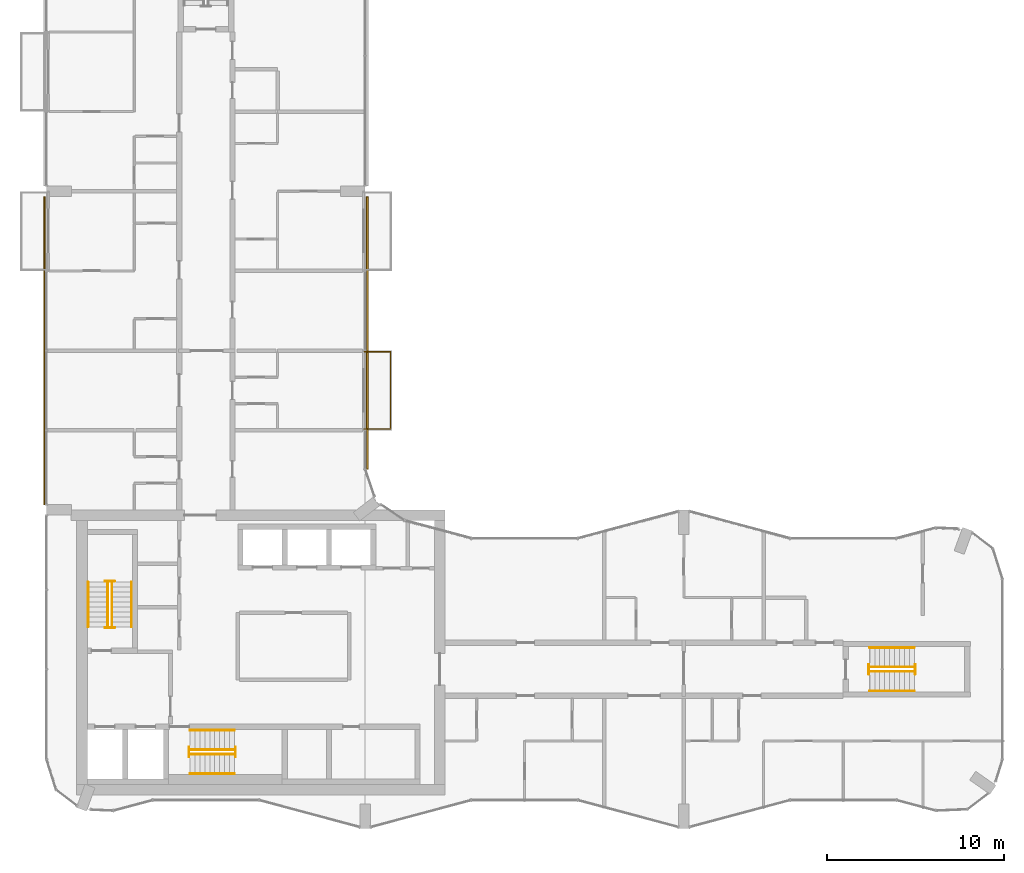
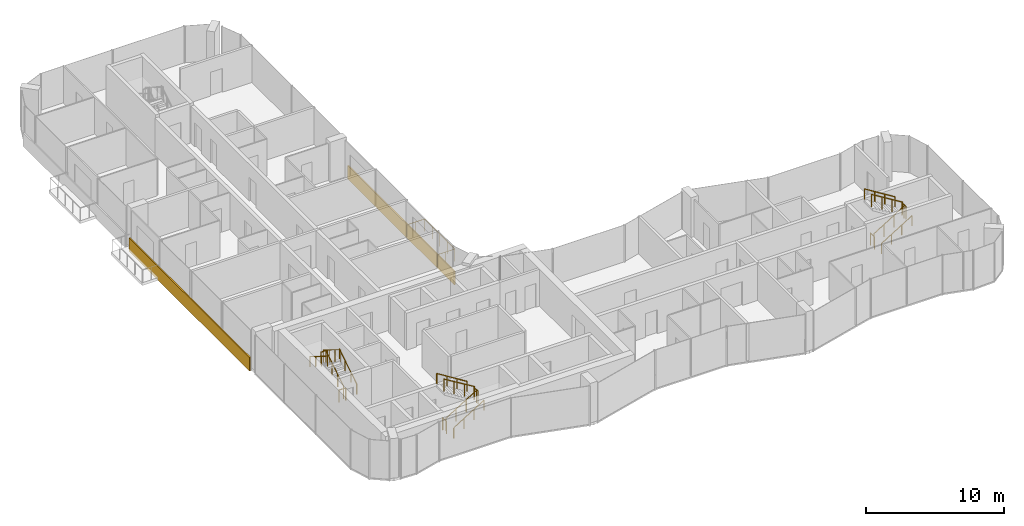
# One storey, part 14 of 15: 19 railings, 2 coverings.
"""IFC4 building model written with IfcOpenShell, lengths in metres."""

from ifc_helpers import new_model, si_unit, direction, frame, origin, origin_2d, place, context, subcontext, project, spatial, rectangle, circle, extrude, material, layer, layer_set, type_object, element, save


model = new_model("IFC4")

# Units and contexts
model_context = context("Model", 3, precision=1e-05, world=origin(), true_north=direction((0.0, 1.0)))
body_context = subcontext(model_context, "Body", "Model", "MODEL_VIEW")
ifc_project = project(units=[si_unit("LENGTHUNIT", "METRE"), si_unit("AREAUNIT", "SQUARE_METRE"), si_unit("VOLUMEUNIT", "CUBIC_METRE"), si_unit("PLANEANGLEUNIT", "RADIAN"), si_unit("MASSUNIT", "GRAM", prefix="KILO")], contexts=[model_context])

# Site, building, storey
site_placement = place(None, origin())
site = spatial("IfcSite", under=ifc_project, at=site_placement, CompositionType="ELEMENT")
building_placement = place(site_placement, origin())
building = spatial("IfcBuilding", under=site, at=building_placement, Name="Plateau Cross Towers", CompositionType="ELEMENT")
storey_placement = place(building_placement, frame((0.0, 0.0, 156.89990234375)))
storey = spatial("IfcBuildingStorey", under=building, at=storey_placement, Name="L40", CompositionType="ELEMENT", Elevation=156.89990234375)

# Railings
ifc_material_1 = material(Name="Stainless steel and toughened glass", Category="steel")
railing_type_1 = type_object("IfcRailingType", Name="Glass balustrade guard 1100", PredefinedType="GUARDRAIL", material=ifc_material_1)
railing_1_placement = place(storey_placement, frame((17.949951171875, 26.929931640625, 0.0)))
element("IfcRailing", 1, at=railing_1_placement, inside=storey, type_object=railing_type_1, Name="Guard guard1", PredefinedType="GUARDRAIL", context=body_context, shape_type="SweptSolid", body=[
    extrude(circle(Radius=0.02392578125, at=origin_2d()), frame((0.0, 0.0, 1.076171875), z_axis=(1.0, 0.0, 0.0), x_axis=(0.0, 1.0, 0.0)), (0.0, 0.0, 1.0), 1.47998046875),
    extrude(circle(Radius=0.02392578125, at=origin_2d()), frame((1.47998046875, 0.0, 1.076171875), z_axis=(0.0, -1.0, 0.0), x_axis=(1.0, 0.0, 0.0)), (0.0, 0.0, 1.0), 4.35986328125),
    extrude(circle(Radius=0.02392578125, at=origin_2d()), frame((1.47998046875, -4.35986328125, 1.076171875), z_axis=(-1.0, 0.0, 0.0), x_axis=(0.0, -1.0, 0.0)), (0.0, 0.0, 1.0), 1.47998046875),
    extrude(circle(Radius=0.02099609375, at=origin_2d()), origin(), (0.0, 0.0, 1.0), 1.052001953125),
    extrude(circle(Radius=0.02099609375, at=origin_2d()), frame((0.739990234375, 0.0, 0.0)), (0.0, 0.0, 1.0), 1.052001953125),
    extrude(circle(Radius=0.02099609375, at=origin_2d()), frame((1.47998046875, 0.0, 0.0)), (0.0, 0.0, 1.0), 1.052001953125),
    extrude(circle(Radius=0.02099609375, at=origin_2d()), frame((1.47998046875, -1.08984375, 0.0)), (0.0, 0.0, 1.0), 1.052001953125),
    extrude(circle(Radius=0.02099609375, at=origin_2d()), frame((1.47998046875, -2.179931640625, 0.0)), (0.0, 0.0, 1.0), 1.052001953125),
    extrude(circle(Radius=0.02099609375, at=origin_2d()), frame((1.47998046875, -3.27001953125, 0.0)), (0.0, 0.0, 1.0), 1.052001953125),
    extrude(circle(Radius=0.02099609375, at=origin_2d()), frame((1.47998046875, -4.35986328125, 0.0)), (0.0, 0.0, 1.0), 1.052001953125),
    extrude(circle(Radius=0.02099609375, at=origin_2d()), frame((0.739990234375, -4.35986328125, 0.0)), (0.0, 0.0, 1.0), 1.052001953125),
    extrude(circle(Radius=0.02099609375, at=origin_2d()), frame((0.0, -4.35986328125, 0.0)), (0.0, 0.0, 1.0), 1.052001953125),
])
railing_type_2 = type_object("IfcRailingType", Name="RL-GUARD-1100", PredefinedType="GUARDRAIL", material=ifc_material_1)
railing_2_placement = place(storey_placement, frame((3.699951171875, 11.39990234375, 0.175048828125)))
element("IfcRailing", 2, at=railing_2_placement, inside=storey, type_object=railing_type_2, Name="L40 ST-1 stair guard 1", PredefinedType="GUARDRAIL", context=body_context, shape_type="SweptSolid", body=[
    extrude(circle(Radius=0.02392578125, at=origin_2d()), frame((0.0, 0.0, 1.076171875), z_axis=(0.0, 0.848007534815, 0.529984170421), x_axis=(-1.0, 0.0, 0.0)), (0.0, 0.0, 1.0), 2.9716796875),
    extrude(circle(Radius=0.02099609375, at=origin_2d()), origin(), (0.0, 0.0, 1.0), 1.052001953125),
    extrude(circle(Radius=0.02099609375, at=origin_2d()), frame((0.0, 0.840087890625, 0.52490234375)), (0.0, 0.0, 1.0), 1.052001953125),
    extrude(circle(Radius=0.02099609375, at=origin_2d()), frame((0.0, 1.679931640625, 1.050048828125)), (0.0, 0.0, 1.0), 1.052001953125),
    extrude(circle(Radius=0.02099609375, at=origin_2d()), frame((0.0, 2.52001953125, 1.574951171875)), (0.0, 0.0, 1.0), 1.052001953125),
])
railing_3_placement = place(storey_placement, frame((3.85009765625, 13.969970703125, 1.75)))
element("IfcRailing", 3, at=railing_3_placement, inside=storey, type_object=railing_type_2, Name="L40 ST-1 stair guard 2", PredefinedType="GUARDRAIL", context=body_context, shape_type="SweptSolid", body=[
    extrude(circle(Radius=0.02392578125, at=origin_2d()), frame((0.0, 0.0, 1.076171875), z_axis=(-1.0, 0.0, 0.0), x_axis=(0.0, -1.0, 0.0)), (0.0, 0.0, 1.0), 0.550048828125),
    extrude(circle(Radius=0.02099609375, at=origin_2d()), origin(), (0.0, 0.0, 1.0), 1.052001953125),
    extrude(circle(Radius=0.02099609375, at=origin_2d()), frame((-0.550048828125, 0.0, 0.0)), (0.0, 0.0, 1.0), 1.052001953125),
])
railing_4_placement = place(storey_placement, frame((3.449951171875, 13.919921875, 1.925048828125)))
element("IfcRailing", 4, at=railing_4_placement, inside=storey, type_object=railing_type_2, Name="L40 ST-1 stair guard 3", PredefinedType="GUARDRAIL", context=body_context, shape_type="SweptSolid", body=[
    extrude(circle(Radius=0.02392578125, at=origin_2d()), frame((0.0, 0.0, 1.076171875), z_axis=(0.0, -0.852616386126, 0.522537365276), x_axis=(1.0, 0.0, 0.0)), (0.0, 0.0, 1.0), 3.01416015625),
    extrude(circle(Radius=0.02099609375, at=origin_2d()), origin(), (0.0, 0.0, 1.0), 1.052001953125),
    extrude(circle(Radius=0.02099609375, at=origin_2d()), frame((0.0, -0.856689453125, 0.52490234375)), (0.0, 0.0, 1.0), 1.052001953125),
    extrude(circle(Radius=0.02099609375, at=origin_2d()), frame((0.0, -1.713134765625, 1.050048828125)), (0.0, 0.0, 1.0), 1.052001953125),
    extrude(circle(Radius=0.02099609375, at=origin_2d()), frame((0.0, -2.56982421875, 1.574951171875)), (0.0, 0.0, 1.0), 1.052001953125),
])
railing_5_placement = place(storey_placement, frame((3.85009765625, 11.35009765625, 0.0)))
element("IfcRailing", 5, at=railing_5_placement, inside=storey, type_object=railing_type_2, Name="L40 ST-1 stair guard 4", PredefinedType="GUARDRAIL", context=body_context, shape_type="SweptSolid", body=[
    extrude(circle(Radius=0.02392578125, at=origin_2d()), frame((0.0, 0.0, 1.076171875), z_axis=(-1.0, 0.0, 0.0), x_axis=(0.0, -1.0, 0.0)), (0.0, 0.0, 1.0), 0.550048828125),
    extrude(circle(Radius=0.02099609375, at=origin_2d()), origin(), (0.0, 0.0, 1.0), 1.052001953125),
    extrude(circle(Radius=0.02099609375, at=origin_2d()), frame((-0.550048828125, 0.0, 0.0)), (0.0, 0.0, 1.0), 1.052001953125),
])
railing_6_placement = place(storey_placement, frame((8.10009765625, 4.199951171875, 0.175048828125)))
element("IfcRailing", 6, at=railing_6_placement, inside=storey, type_object=railing_type_2, Name="L40 ST-2 stair guard 1", PredefinedType="GUARDRAIL", context=body_context, shape_type="SweptSolid", body=[
    extrude(circle(Radius=0.02392578125, at=origin_2d()), frame((0.0, 0.0, 1.076171875), z_axis=(0.848007534815, 0.0, 0.529984170421), x_axis=(0.0, 1.0, 0.0)), (0.0, 0.0, 1.0), 2.9716796875),
    extrude(circle(Radius=0.02099609375, at=origin_2d()), origin(), (0.0, 0.0, 1.0), 1.052001953125),
    extrude(circle(Radius=0.02099609375, at=origin_2d()), frame((0.840087890625, 0.0, 0.52490234375)), (0.0, 0.0, 1.0), 1.052001953125),
    extrude(circle(Radius=0.02099609375, at=origin_2d()), frame((1.679931640625, 0.0, 1.050048828125)), (0.0, 0.0, 1.0), 1.052001953125),
    extrude(circle(Radius=0.02099609375, at=origin_2d()), frame((2.52001953125, 0.0, 1.574951171875)), (0.0, 0.0, 1.0), 1.052001953125),
])
railing_7_placement = place(storey_placement, frame((10.669921875, 4.050048828125, 1.75)))
element("IfcRailing", 7, at=railing_7_placement, inside=storey, type_object=railing_type_2, Name="L40 ST-2 stair guard 2", PredefinedType="GUARDRAIL", context=body_context, shape_type="SweptSolid", body=[
    extrude(circle(Radius=0.02392578125, at=origin_2d()), frame((0.0, 0.0, 1.076171875), z_axis=(0.0, 1.0, 0.0), x_axis=(-1.0, 0.0, 0.0)), (0.0, 0.0, 1.0), 0.550048828125),
    extrude(circle(Radius=0.02099609375, at=origin_2d()), origin(), (0.0, 0.0, 1.0), 1.052001953125),
    extrude(circle(Radius=0.02099609375, at=origin_2d()), frame((0.0, 0.550048828125, 0.0)), (0.0, 0.0, 1.0), 1.052001953125),
])
railing_8_placement = place(storey_placement, frame((10.6201171875, 4.449951171875, 1.925048828125)))
element("IfcRailing", 8, at=railing_8_placement, inside=storey, type_object=railing_type_2, Name="L40 ST-2 stair guard 3", PredefinedType="GUARDRAIL", context=body_context, shape_type="SweptSolid", body=[
    extrude(circle(Radius=0.02392578125, at=origin_2d()), frame((0.0, 0.0, 1.076171875), z_axis=(-0.852638500773, 0.0, 0.522501279423), x_axis=(0.0, -1.0, 0.0)), (0.0, 0.0, 1.0), 3.01416015625),
    extrude(circle(Radius=0.02099609375, at=origin_2d()), origin(), (0.0, 0.0, 1.0), 1.052001953125),
    extrude(circle(Radius=0.02099609375, at=origin_2d()), frame((-0.856689453125, 0.0, 0.52490234375)), (0.0, 0.0, 1.0), 1.052001953125),
    extrude(circle(Radius=0.02099609375, at=origin_2d()), frame((-1.71337890625, 0.0, 1.050048828125)), (0.0, 0.0, 1.0), 1.052001953125),
    extrude(circle(Radius=0.02099609375, at=origin_2d()), frame((-2.570068359375, 0.0, 1.574951171875)), (0.0, 0.0, 1.0), 1.052001953125),
])
railing_9_placement = place(storey_placement, frame((8.050048828125, 4.050048828125, 0.0)))
element("IfcRailing", 9, at=railing_9_placement, inside=storey, type_object=railing_type_2, Name="L40 ST-2 stair guard 4", PredefinedType="GUARDRAIL", context=body_context, shape_type="SweptSolid", body=[
    extrude(circle(Radius=0.02392578125, at=origin_2d()), frame((0.0, 0.0, 1.076171875), z_axis=(0.0, 1.0, 0.0), x_axis=(-1.0, 0.0, 0.0)), (0.0, 0.0, 1.0), 0.550048828125),
    extrude(circle(Radius=0.02099609375, at=origin_2d()), origin(), (0.0, 0.0, 1.0), 1.052001953125),
    extrude(circle(Radius=0.02099609375, at=origin_2d()), frame((0.0, 0.550048828125, 0.0)), (0.0, 0.0, 1.0), 1.052001953125),
])
railing_10_placement = place(storey_placement, frame((46.5, 8.875, 0.175048828125)))
element("IfcRailing", 10, at=railing_10_placement, inside=storey, type_object=railing_type_2, Name="L40 ES-E stair guard 1", PredefinedType="GUARDRAIL", context=body_context, shape_type="SweptSolid", body=[
    extrude(circle(Radius=0.02392578125, at=origin_2d()), frame((0.0, 0.0, 1.076171875), z_axis=(0.848007534815, 0.0, 0.529984170421), x_axis=(0.0, 1.0, 0.0)), (0.0, 0.0, 1.0), 2.9716796875),
    extrude(circle(Radius=0.02099609375, at=origin_2d()), origin(), (0.0, 0.0, 1.0), 1.052001953125),
    extrude(circle(Radius=0.02099609375, at=origin_2d()), frame((0.840087890625, 0.0, 0.52490234375)), (0.0, 0.0, 1.0), 1.052001953125),
    extrude(circle(Radius=0.02099609375, at=origin_2d()), frame((1.679931640625, 0.0, 1.050048828125)), (0.0, 0.0, 1.0), 1.052001953125),
    extrude(circle(Radius=0.02099609375, at=origin_2d()), frame((2.52001953125, 0.0, 1.574951171875)), (0.0, 0.0, 1.0), 1.052001953125),
])
railing_11_placement = place(storey_placement, frame((49.070068359375, 8.72509765625, 1.75)))
element("IfcRailing", 11, at=railing_11_placement, inside=storey, type_object=railing_type_2, Name="L40 ES-E stair guard 2", PredefinedType="GUARDRAIL", context=body_context, shape_type="SweptSolid", body=[
    extrude(circle(Radius=0.02392578125, at=origin_2d()), frame((0.0, 0.0, 1.076171875), z_axis=(0.0, 1.0, 0.0), x_axis=(-1.0, 0.0, 0.0)), (0.0, 0.0, 1.0), 0.5498046875),
    extrude(circle(Radius=0.02099609375, at=origin_2d()), origin(), (0.0, 0.0, 1.0), 1.052001953125),
    extrude(circle(Radius=0.02099609375, at=origin_2d()), frame((0.0, 0.5498046875, 0.0)), (0.0, 0.0, 1.0), 1.052001953125),
])
railing_12_placement = place(storey_placement, frame((49.02001953125, 9.125, 1.925048828125)))
element("IfcRailing", 12, at=railing_12_placement, inside=storey, type_object=railing_type_2, Name="L40 ES-E stair guard 3", PredefinedType="GUARDRAIL", context=body_context, shape_type="SweptSolid", body=[
    extrude(circle(Radius=0.02392578125, at=origin_2d()), frame((0.0, 0.0, 1.076171875), z_axis=(-0.852638500773, 0.0, 0.522501279423), x_axis=(0.0, -1.0, 0.0)), (0.0, 0.0, 1.0), 3.01416015625),
    extrude(circle(Radius=0.02099609375, at=origin_2d()), origin(), (0.0, 0.0, 1.0), 1.052001953125),
    extrude(circle(Radius=0.02099609375, at=origin_2d()), frame((-0.856689453125, 0.0, 0.52490234375)), (0.0, 0.0, 1.0), 1.052001953125),
    extrude(circle(Radius=0.02099609375, at=origin_2d()), frame((-1.71337890625, 0.0, 1.050048828125)), (0.0, 0.0, 1.0), 1.052001953125),
    extrude(circle(Radius=0.02099609375, at=origin_2d()), frame((-2.570068359375, 0.0, 1.574951171875)), (0.0, 0.0, 1.0), 1.052001953125),
])
railing_13_placement = place(storey_placement, frame((46.449951171875, 8.72509765625, 0.0)))
element("IfcRailing", 13, at=railing_13_placement, inside=storey, type_object=railing_type_2, Name="L40 ES-E stair guard 4", PredefinedType="GUARDRAIL", context=body_context, shape_type="SweptSolid", body=[
    extrude(circle(Radius=0.02392578125, at=origin_2d()), frame((0.0, 0.0, 1.076171875), z_axis=(0.0, 1.0, 0.0), x_axis=(-1.0, 0.0, 0.0)), (0.0, 0.0, 1.0), 0.5498046875),
    extrude(circle(Radius=0.02099609375, at=origin_2d()), origin(), (0.0, 0.0, 1.0), 1.052001953125),
    extrude(circle(Radius=0.02099609375, at=origin_2d()), frame((0.0, 0.5498046875, 0.0)), (0.0, 0.0, 1.0), 1.052001953125),
])
ifc_material_2 = material(Name="Black anodised aluminium", Category="aluminium")
railing_type_3 = type_object("IfcRailingType", Name="RL-HANDRAIL-900", PredefinedType="HANDRAIL", material=ifc_material_2)
railing_14_placement = place(storey_placement, frame((4.800048828125, 11.39990234375, 0.175048828125)))
element("IfcRailing", 14, at=railing_14_placement, inside=storey, type_object=railing_type_3, Name="L40 ST-1 stair handrail 1", PredefinedType="HANDRAIL", context=body_context, shape_type="SweptSolid", body=[
    extrude(circle(Radius=0.02392578125, at=origin_2d()), frame((0.0, 0.0, 0.8759765625), z_axis=(0.0, 0.848007534815, 0.529984170421), x_axis=(-1.0, 0.0, 0.0)), (0.0, 0.0, 1.0), 2.9716796875),
    extrude(circle(Radius=0.02099609375, at=origin_2d()), origin(), (0.0, 0.0, 1.0), 0.851806640625),
    extrude(circle(Radius=0.02099609375, at=origin_2d()), frame((0.0, 0.840087890625, 0.52490234375)), (0.0, 0.0, 1.0), 0.851806640625),
    extrude(circle(Radius=0.02099609375, at=origin_2d()), frame((0.0, 1.679931640625, 1.050048828125)), (0.0, 0.0, 1.0), 0.851806640625),
    extrude(circle(Radius=0.02099609375, at=origin_2d()), frame((0.0, 2.52001953125, 1.574951171875)), (0.0, 0.0, 1.0), 0.851806640625),
])
railing_15_placement = place(storey_placement, frame((2.35009765625, 13.919921875, 1.925048828125)))
element("IfcRailing", 15, at=railing_15_placement, inside=storey, type_object=railing_type_3, Name="L40 ST-1 stair handrail 2", PredefinedType="HANDRAIL", context=body_context, shape_type="SweptSolid", body=[
    extrude(circle(Radius=0.02392578125, at=origin_2d()), frame((0.0, 0.0, 0.8759765625), z_axis=(0.0, -0.848007534815, 0.529984170421), x_axis=(1.0, 0.0, 0.0)), (0.0, 0.0, 1.0), 2.9716796875),
    extrude(circle(Radius=0.02099609375, at=origin_2d()), origin(), (0.0, 0.0, 1.0), 0.851806640625),
    extrude(circle(Radius=0.02099609375, at=origin_2d()), frame((0.0, -0.840087890625, 0.52490234375)), (0.0, 0.0, 1.0), 0.851806640625),
    extrude(circle(Radius=0.02099609375, at=origin_2d()), frame((0.0, -1.679931640625, 1.050048828125)), (0.0, 0.0, 1.0), 0.851806640625),
    extrude(circle(Radius=0.02099609375, at=origin_2d()), frame((0.0, -2.52001953125, 1.574951171875)), (0.0, 0.0, 1.0), 0.851806640625),
])
railing_16_placement = place(storey_placement, frame((8.10009765625, 3.10009765625, 0.175048828125)))
element("IfcRailing", 16, at=railing_16_placement, inside=storey, type_object=railing_type_3, Name="L40 ST-2 stair handrail 1", PredefinedType="HANDRAIL", context=body_context, shape_type="SweptSolid", body=[
    extrude(circle(Radius=0.02392578125, at=origin_2d()), frame((0.0, 0.0, 0.8759765625), z_axis=(0.848007534815, 0.0, 0.529984170421), x_axis=(0.0, 1.0, 0.0)), (0.0, 0.0, 1.0), 2.9716796875),
    extrude(circle(Radius=0.02099609375, at=origin_2d()), origin(), (0.0, 0.0, 1.0), 0.851806640625),
    extrude(circle(Radius=0.02099609375, at=origin_2d()), frame((0.840087890625, 0.0, 0.52490234375)), (0.0, 0.0, 1.0), 0.851806640625),
    extrude(circle(Radius=0.02099609375, at=origin_2d()), frame((1.679931640625, 0.0, 1.050048828125)), (0.0, 0.0, 1.0), 0.851806640625),
    extrude(circle(Radius=0.02099609375, at=origin_2d()), frame((2.52001953125, 0.0, 1.574951171875)), (0.0, 0.0, 1.0), 0.851806640625),
])
railing_17_placement = place(storey_placement, frame((10.6201171875, 5.550048828125, 1.925048828125)))
element("IfcRailing", 17, at=railing_17_placement, inside=storey, type_object=railing_type_3, Name="L40 ST-2 stair handrail 2", PredefinedType="HANDRAIL", context=body_context, shape_type="SweptSolid", body=[
    extrude(circle(Radius=0.02392578125, at=origin_2d()), frame((0.0, 0.0, 0.8759765625), z_axis=(-0.848007534815, 0.0, 0.529984170421), x_axis=(0.0, -1.0, 0.0)), (0.0, 0.0, 1.0), 2.9716796875),
    extrude(circle(Radius=0.02099609375, at=origin_2d()), origin(), (0.0, 0.0, 1.0), 0.851806640625),
    extrude(circle(Radius=0.02099609375, at=origin_2d()), frame((-0.840087890625, 0.0, 0.52490234375)), (0.0, 0.0, 1.0), 0.851806640625),
    extrude(circle(Radius=0.02099609375, at=origin_2d()), frame((-1.679931640625, 0.0, 1.050048828125)), (0.0, 0.0, 1.0), 0.851806640625),
    extrude(circle(Radius=0.02099609375, at=origin_2d()), frame((-2.52001953125, 0.0, 1.574951171875)), (0.0, 0.0, 1.0), 0.851806640625),
])
railing_18_placement = place(storey_placement, frame((46.5, 7.77490234375, 0.175048828125)))
element("IfcRailing", 18, at=railing_18_placement, inside=storey, type_object=railing_type_3, Name="L40 ES-E stair handrail 1", PredefinedType="HANDRAIL", context=body_context, shape_type="SweptSolid", body=[
    extrude(circle(Radius=0.02392578125, at=origin_2d()), frame((0.0, 0.0, 0.8759765625), z_axis=(0.848007534815, 0.0, 0.529984170421), x_axis=(0.0, 1.0, 0.0)), (0.0, 0.0, 1.0), 2.9716796875),
    extrude(circle(Radius=0.02099609375, at=origin_2d()), origin(), (0.0, 0.0, 1.0), 0.851806640625),
    extrude(circle(Radius=0.02099609375, at=origin_2d()), frame((0.840087890625, 0.0, 0.52490234375)), (0.0, 0.0, 1.0), 0.851806640625),
    extrude(circle(Radius=0.02099609375, at=origin_2d()), frame((1.679931640625, 0.0, 1.050048828125)), (0.0, 0.0, 1.0), 0.851806640625),
    extrude(circle(Radius=0.02099609375, at=origin_2d()), frame((2.52001953125, 0.0, 1.574951171875)), (0.0, 0.0, 1.0), 0.851806640625),
])
railing_19_placement = place(storey_placement, frame((49.02001953125, 10.22509765625, 1.925048828125)))
element("IfcRailing", 19, at=railing_19_placement, inside=storey, type_object=railing_type_3, Name="L40 ES-E stair handrail 2", PredefinedType="HANDRAIL", context=body_context, shape_type="SweptSolid", body=[
    extrude(circle(Radius=0.02392578125, at=origin_2d()), frame((0.0, 0.0, 0.8759765625), z_axis=(-0.848007534815, 0.0, 0.529984170421), x_axis=(0.0, -1.0, 0.0)), (0.0, 0.0, 1.0), 2.9716796875),
    extrude(circle(Radius=0.02099609375, at=origin_2d()), origin(), (0.0, 0.0, 1.0), 0.851806640625),
    extrude(circle(Radius=0.02099609375, at=origin_2d()), frame((-0.840087890625, 0.0, 0.52490234375)), (0.0, 0.0, 1.0), 0.851806640625),
    extrude(circle(Radius=0.02099609375, at=origin_2d()), frame((-1.679931640625, 0.0, 1.050048828125)), (0.0, 0.0, 1.0), 0.851806640625),
    extrude(circle(Radius=0.02099609375, at=origin_2d()), frame((-2.52001953125, 0.0, 1.574951171875)), (0.0, 0.0, 1.0), 0.851806640625),
])

# Coverings
ifc_material_3 = material(Name="Precast concrete cladding C40/50", Category="concrete")
ifc_layer = layer(ifc_material_3, 0.10009765625)
ifc_layer_set = layer_set([ifc_layer], Name="Precast concrete cladding C40/50")
covering_type = type_object("IfcCoveringType", Name="Spandrel band cladding 100x1200", PredefinedType="CLADDING", material=ifc_layer_set)
covering_1_placement = place(storey_placement, frame((18.1201171875, 28.001220703125, -0.25), z_axis=(0.0, 0.0, 1.0), x_axis=(0.0, 1.0, 0.0)))
element("IfcCovering", 20, at=covering_1_placement, inside=storey, type_object=covering_type, Name="Spandrel band", PredefinedType="CLADDING", context=body_context, shape_type="SweptSolid", body=[
    extrude(rectangle(XDim=15.397705078125, YDim=0.10009765625, at=origin_2d()), origin(), (0.0, 0.0, 1.0), 1.199951171875),
])
covering_2_placement = place(storey_placement, frame((-0.1201171875, 27.0, -0.25), z_axis=(0.0, 0.0, 1.0), x_axis=(0.0, -1.0, 0.0)))
element("IfcCovering", 21, at=covering_2_placement, inside=storey, type_object=covering_type, Name="Spandrel band", PredefinedType="CLADDING", context=body_context, shape_type="SweptSolid", body=[
    extrude(rectangle(XDim=17.39990234375, YDim=0.10009765625, at=origin_2d()), origin(), (0.0, 0.0, 1.0), 1.199951171875),
])

save(model, "model.ifc")
